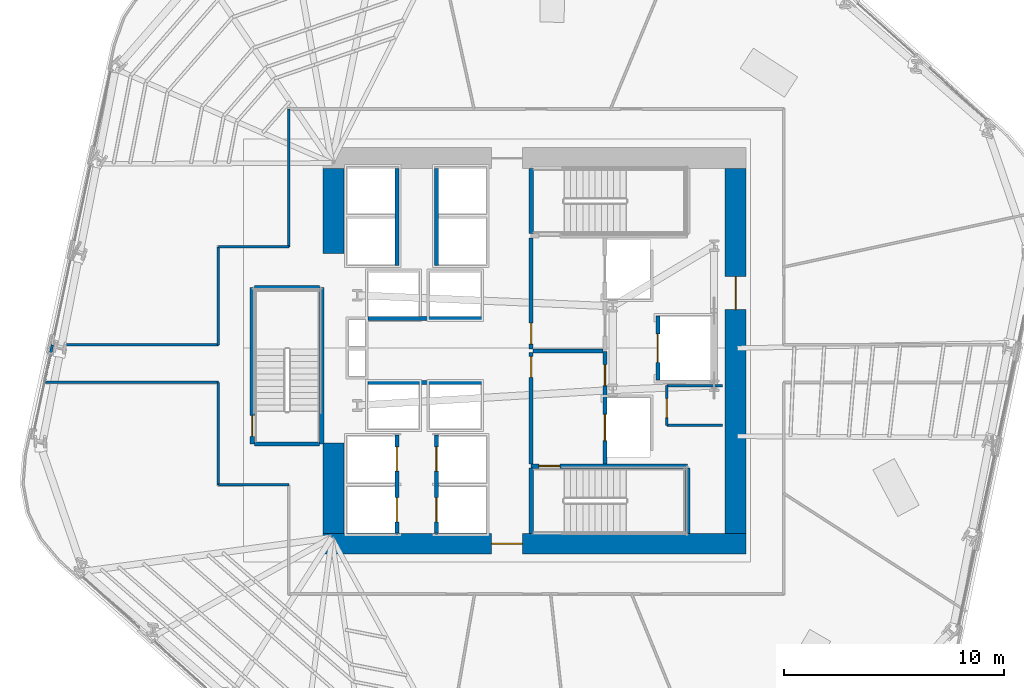
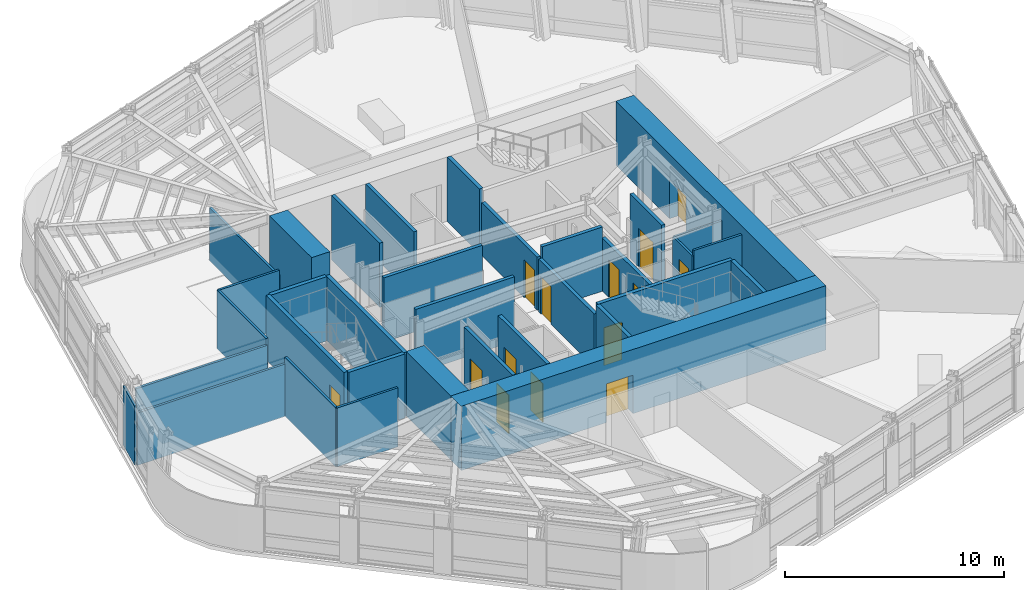
# One storey, part 9 of 16: 34 walls, 14 doors, 14 openings.
"""IFC4 building model written with IfcOpenShell, lengths in metres."""

from ifc_helpers import new_model, si_unit, direction, frame, frame_2d, origin, place, context, subcontext, project, spatial, rectangle, extrude, material, layer, layer_set, type_object, element, fill, save


model = new_model("IFC4")

# Units and contexts
model_context = context("Model", 3, precision=1e-05, world=origin(), true_north=direction((0.0, 1.0)))
body_context = subcontext(model_context, "Body", "Model", "MODEL_VIEW")
ifc_project = project(units=[si_unit("LENGTHUNIT", "METRE"), si_unit("AREAUNIT", "SQUARE_METRE"), si_unit("VOLUMEUNIT", "CUBIC_METRE"), si_unit("PLANEANGLEUNIT", "RADIAN"), si_unit("MASSUNIT", "GRAM", prefix="KILO")], contexts=[model_context])

# Site, building, storey
site_placement = place(None, origin())
site = spatial("IfcSite", under=ifc_project, at=site_placement, CompositionType="ELEMENT")
building_placement = place(site_placement, origin())
building = spatial("IfcBuilding", under=site, at=building_placement, Name="Valkerne Bourse Tower", CompositionType="ELEMENT")
storey_placement = place(building_placement, frame((0.0, 0.0, 101.0)))
storey = spatial("IfcBuildingStorey", under=building, at=storey_placement, Name="L25", CompositionType="ELEMENT", Elevation=101.0)

# Wall, opening, door
ifc_material_1 = material(Name="Concrete C70/85", Category="concrete")
ifc_layer_1 = layer(ifc_material_1, 0.949951171875)
ifc_layer_set_1 = layer_set([ifc_layer_1], Name="Concrete C70/85")
wall_type_1 = type_object("IfcWallType", Name="W-CORE-950", PredefinedType="SHEAR", material=ifc_layer_set_1)
wall_1_placement = place(storey_placement, frame((37.199951171875, 18.125, 0.0), z_axis=(0.0, 0.0, 1.0), x_axis=(1.0, 0.0, 0.0)))
wall_1 = element("IfcWall", 1, at=wall_1_placement, inside=storey, type_object=wall_type_1, Name="L25 Core Shear Wall SOUTH", PredefinedType="SHEAR", context=body_context, shape_type="SweptSolid", body=[
    extrude(rectangle(XDim=19.199951171875, YDim=0.949951171875, at=frame_2d((9.60009765625, 0.0))), origin(), (0.0, 0.0, 1.0), 3.580078125),
])
opening_1_placement = place(wall_1_placement, frame((7.64990234375, 0.0, 0.0)))
opening_1 = element("IfcOpeningElement", 2, at=opening_1_placement, cuts=wall_1, Name="Opening D-PL-1400", PredefinedType="OPENING", context=body_context, shape_type="SweptSolid", body=[
    extrude(rectangle(XDim=1.39990234375, YDim=2.14990234375, at=frame_2d((0.699951171875, 1.074951171875))), frame((0.0, 0.48486328125, 0.0), z_axis=(0.0, -1.0, 0.0), x_axis=(1.0, 0.0, 0.0)), (0.0, 0.0, 1.0), 0.969970703125),
])
ifc_material_2 = material(Name="Galvanised Painted Steel", Category="steel")
door_type_1 = type_object("IfcDoorType", Name="DR-PLT-1400", OperationType="DOUBLE_DOOR_SINGLE_SWING", PredefinedType="DOOR", material=ifc_material_2)
door_1_placement = place(opening_1_placement, origin())
door_1 = element("IfcDoor", 3, at=door_1_placement, inside=storey, type_object=door_type_1, Name="L25 South Passenger Lift Hall Fire Door", OperationType="DOUBLE_DOOR_SINGLE_SWING", OverallHeight=2.14990234375, OverallWidth=1.39990234375, PredefinedType="DOOR", context=body_context, shape_type="SweptSolid", body=[
    extrude(rectangle(XDim=1.39990234375, YDim=2.14990234375, at=frame_2d((0.699951171875, 1.074951171875))), frame((0.0, 0.02490234375, 0.0), z_axis=(0.0, -1.0, 0.0), x_axis=(1.0, 0.0, 0.0)), (0.0, 0.0, 1.0), 0.050048828125),
])
fill(opening_1, door_1)

wall_2_placement = place(storey_placement, frame((55.925048828125, 18.60009765625, 0.0), z_axis=(0.0, 0.0, 1.0), x_axis=(0.0, 1.0, 0.0)))
wall_2 = element("IfcWall", 4, at=wall_2_placement, inside=storey, type_object=wall_type_1, Name="L25 Core Shear Wall EAST", PredefinedType="SHEAR", context=body_context, shape_type="SweptSolid", body=[
    extrude(rectangle(XDim=16.5498046875, YDim=0.949951171875, at=frame_2d((8.27490234375, 0.0))), origin(), (0.0, 0.0, 1.0), 3.580078125),
])
opening_2_placement = place(wall_2_placement, frame((10.14990234375, 0.0, 0.0)))
opening_2 = element("IfcOpeningElement", 5, at=opening_2_placement, cuts=wall_2, Name="Opening D-CR-1500", PredefinedType="OPENING", context=body_context, shape_type="SweptSolid", body=[
    extrude(rectangle(XDim=1.5, YDim=2.14990234375, at=frame_2d((0.75, 1.074951171875))), frame((0.0, 0.48486328125, 0.0), z_axis=(0.0, -1.0, 0.0), x_axis=(1.0, 0.0, 0.0)), (0.0, 0.0, 1.0), 0.969970703125),
])
door_type_2 = type_object("IfcDoorType", Name="DR-CORR-1500", OperationType="DOUBLE_DOOR_SINGLE_SWING", PredefinedType="DOOR", material=ifc_material_2)
door_2_placement = place(opening_2_placement, origin())
door_2 = element("IfcDoor", 6, at=door_2_placement, inside=storey, type_object=door_type_2, Name="L25 East Core Service Lobby Fire Door", OperationType="DOUBLE_DOOR_SINGLE_SWING", OverallHeight=2.14990234375, OverallWidth=1.5, PredefinedType="DOOR", context=body_context, shape_type="SweptSolid", body=[
    extrude(rectangle(XDim=1.5, YDim=2.14990234375, at=frame_2d((0.75, 1.074951171875))), frame((0.0, 0.02490234375, 0.0), z_axis=(0.0, -1.0, 0.0), x_axis=(1.0, 0.0, 0.0)), (0.0, 0.0, 1.0), 0.050048828125),
])
fill(opening_2, door_2)

# Walls
wall_3_placement = place(storey_placement, frame((37.675048828125, 18.60009765625, 0.0), z_axis=(0.0, 0.0, 1.0), x_axis=(0.0, 1.0, 0.0)))
element("IfcWall", 7, at=wall_3_placement, inside=storey, type_object=wall_type_1, Name="L25 Core Shear Wall WEST-S", PredefinedType="SHEAR", context=body_context, shape_type="SweptSolid", body=[
    extrude(rectangle(XDim=4.099853515625, YDim=0.949951171875, at=frame_2d((2.0498046875, 0.0))), origin(), (0.0, 0.0, 1.0), 3.580078125),
])
wall_4_placement = place(storey_placement, frame((37.675048828125, 31.300048828125, 0.0), z_axis=(0.0, 0.0, 1.0), x_axis=(0.0, 1.0, 0.0)))
element("IfcWall", 8, at=wall_4_placement, inside=storey, type_object=wall_type_1, Name="L25 Core Shear Wall WEST-N", PredefinedType="SHEAR", context=body_context, shape_type="SweptSolid", body=[
    extrude(rectangle(XDim=3.849853515625, YDim=0.949951171875, at=frame_2d((1.9248046875, 0.0))), origin(), (0.0, 0.0, 1.0), 3.580078125),
])

# Wall, opening, door
ifc_material_3 = material(Name="Gypsum Board Steel-Stud Partition", Category="steel")
ifc_layer_2 = layer(ifc_material_3, 0.117919921875)
ifc_layer_set_2 = layer_set([ifc_layer_2], Name="Gypsum Board Steel-Stud Partition")
wall_type_2 = type_object("IfcWallType", Name="W-CORR-140", PredefinedType="PARTITIONING", material=ifc_layer_set_2)
wall_5_placement = place(storey_placement, frame((52.800048828125, 23.5, 0.0), z_axis=(0.0, 0.0, 1.0), x_axis=(0.0, 1.0, 0.0)))
wall_5 = element("IfcWall", 9, at=wall_5_placement, inside=storey, type_object=wall_type_2, Name="L25 Core SE North-Bay West Wall", PredefinedType="PARTITIONING", context=body_context, shape_type="SweptSolid", body=[
    extrude(rectangle(XDim=1.800048828125, YDim=0.117919921875, at=frame_2d((0.89990234375, 0.0))), origin(), (0.0, 0.0, 1.0), 2.957763671875),
])
opening_3_placement = place(wall_5_placement, frame((0.35009765625, 0.0, 0.0)))
opening_3 = element("IfcOpeningElement", 10, at=opening_3_placement, cuts=wall_5, Name="Opening D-WC-900", PredefinedType="OPENING", context=body_context, shape_type="SweptSolid", body=[
    extrude(rectangle(XDim=0.860107421875, YDim=2.050048828125, at=frame_2d((0.43017578125, 1.02490234375))), frame((0.0, 0.06884765625, 0.0), z_axis=(0.0, -1.0, 0.0), x_axis=(1.0, 0.0, 0.0)), (0.0, 0.0, 1.0), 0.137939453125),
])
ifc_material_4 = material(Name="Architectural White Oak Timber", Category="wood")
door_type_3 = type_object("IfcDoorType", Name="DR-WC-900", OperationType="NOTDEFINED", PredefinedType="DOOR", material=ifc_material_4)
door_3_placement = place(opening_3_placement, origin())
door_3 = element("IfcDoor", 11, at=door_3_placement, inside=storey, type_object=door_type_3, Name="L25 Telecom Closet Door", OperationType="SINGLE_SWING_LEFT", OverallHeight=2.050048828125, OverallWidth=0.860107421875, PredefinedType="DOOR", context=body_context, shape_type="SweptSolid", body=[
    extrude(rectangle(XDim=0.860107421875, YDim=2.050048828125, at=frame_2d((0.43017578125, 1.02490234375))), frame((0.0, 0.02490234375, 0.0), z_axis=(0.0, -1.0, 0.0), x_axis=(1.0, 0.0, 0.0)), (0.0, 0.0, 1.0), 0.050048828125),
])
fill(opening_3, door_3)

# Walls
wall_6_placement = place(storey_placement, frame((52.800048828125, 23.5, 0.0), z_axis=(0.0, 0.0, 1.0), x_axis=(1.0, 0.0, 0.0)))
element("IfcWall", 12, at=wall_6_placement, inside=storey, type_object=wall_type_2, Name="L25 Core SE North-Bay South Wall", PredefinedType="PARTITIONING", context=body_context, shape_type="SweptSolid", body=[
    extrude(rectangle(XDim=2.52001953125, YDim=0.117919921875, at=frame_2d((1.260009765625, 0.0))), origin(), (0.0, 0.0, 1.0), 3.280029296875),
])
wall_7_placement = place(storey_placement, frame((52.800048828125, 25.300048828125, 0.0), z_axis=(0.0, 0.0, 1.0), x_axis=(1.0, 0.0, 0.0)))
element("IfcWall", 13, at=wall_7_placement, inside=storey, type_object=wall_type_2, Name="L25 Core SE North-Bay North Wall", PredefinedType="PARTITIONING", context=body_context, shape_type="SweptSolid", body=[
    extrude(rectangle(XDim=2.52001953125, YDim=0.117919921875, at=frame_2d((1.260009765625, 0.0))), origin(), (0.0, 0.0, 1.0), 2.957763671875),
])
wall_8_placement = place(storey_placement, frame((35.64990234375, 20.800048828125, 0.0), z_axis=(0.0, 0.0, 1.0), x_axis=(-1.0, 0.0, 0.0)))
element("IfcWall", 14, at=wall_8_placement, inside=storey, type_object=wall_type_2, Name="L25 Corridor Enclosure Wall", PredefinedType="PARTITIONING", context=body_context, shape_type="SweptSolid", body=[
    extrude(rectangle(XDim=3.199951171875, YDim=0.117919921875, at=frame_2d((1.60009765625, 0.0))), origin(), (0.0, 0.0, 1.0), 3.280029296875),
])
wall_9_placement = place(storey_placement, frame((32.449951171875, 20.800048828125, 0.0), z_axis=(0.0, 0.0, 1.0), x_axis=(0.0, 1.0, 0.0)))
element("IfcWall", 15, at=wall_9_placement, inside=storey, type_object=wall_type_2, Name="L25 Corridor Enclosure Wall", PredefinedType="PARTITIONING", context=body_context, shape_type="SweptSolid", body=[
    extrude(rectangle(XDim=4.64990234375, YDim=0.117919921875, at=frame_2d((2.324951171875, 0.0))), origin(), (0.0, 0.0, 1.0), 3.280029296875),
])
wall_10_placement = place(storey_placement, frame((32.449951171875, 25.449951171875, 0.0), z_axis=(0.0, 0.0, 1.0), x_axis=(-1.0, 0.0, 0.0)))
element("IfcWall", 16, at=wall_10_placement, inside=storey, type_object=wall_type_2, Name="L25 Corridor Enclosure Wall", PredefinedType="PARTITIONING", context=body_context, shape_type="SweptSolid", body=[
    extrude(rectangle(XDim=7.850341796875, YDim=0.117919921875, at=frame_2d((3.92529296875, 0.0))), origin(), (0.0, 0.0, 1.0), 2.92236328125),
])
wall_11_placement = place(storey_placement, frame((24.564208984375, 25.493896484375, 0.0), z_axis=(0.0, 0.0, 1.0), x_axis=(0.21207672753, 0.97725301823, 0.0)))
element("IfcWall", 17, at=wall_11_placement, inside=storey, type_object=wall_type_2, Name="L25 Corridor Enclosure Wall", PredefinedType="PARTITIONING", context=body_context, shape_type="SweptSolid", body=[
    extrude(rectangle(XDim=1.694580078125, YDim=0.117919921875, at=frame_2d((0.84716796875, 0.0))), origin(), (0.0, 0.0, 1.0), 3.280029296875),
])
wall_12_placement = place(storey_placement, frame((25.521484375, 27.14990234375, 0.0), z_axis=(0.0, 0.0, 1.0), x_axis=(1.0, 0.0, 0.0)))
element("IfcWall", 18, at=wall_12_placement, inside=storey, type_object=wall_type_2, Name="L25 Corridor Enclosure Wall", PredefinedType="PARTITIONING", context=body_context, shape_type="SweptSolid", body=[
    extrude(rectangle(XDim=6.928466796875, YDim=0.117919921875, at=frame_2d((3.46435546875, 0.0))), origin(), (0.0, 0.0, 1.0), 2.92236328125),
])
wall_13_placement = place(storey_placement, frame((32.449951171875, 27.14990234375, 0.0), z_axis=(0.0, 0.0, 1.0), x_axis=(0.0, 1.0, 0.0)))
element("IfcWall", 19, at=wall_13_placement, inside=storey, type_object=wall_type_2, Name="L25 Corridor Enclosure Wall", PredefinedType="PARTITIONING", context=body_context, shape_type="SweptSolid", body=[
    extrude(rectangle(XDim=4.4501953125, YDim=0.117919921875, at=frame_2d((2.22509765625, 0.0))), origin(), (0.0, 0.0, 1.0), 3.280029296875),
])
wall_14_placement = place(storey_placement, frame((32.449951171875, 31.60009765625, 0.0), z_axis=(0.0, 0.0, 1.0), x_axis=(1.0, 0.0, 0.0)))
element("IfcWall", 20, at=wall_14_placement, inside=storey, type_object=wall_type_2, Name="L25 Corridor Enclosure Wall", PredefinedType="PARTITIONING", context=body_context, shape_type="SweptSolid", body=[
    extrude(rectangle(XDim=3.199951171875, YDim=0.117919921875, at=frame_2d((1.60009765625, 0.0))), origin(), (0.0, 0.0, 1.0), 3.280029296875),
])
wall_15_placement = place(storey_placement, frame((35.64990234375, 31.60009765625, 0.0), z_axis=(0.0, 0.0, 1.0), x_axis=(0.0, 1.0, 0.0)))
element("IfcWall", 21, at=wall_15_placement, inside=storey, type_object=wall_type_2, Name="L25 Corridor Enclosure Wall", PredefinedType="PARTITIONING", context=body_context, shape_type="SweptSolid", body=[
    extrude(rectangle(XDim=6.25, YDim=0.117919921875, at=frame_2d((3.125, 0.0))), origin(), (0.0, 0.0, 1.0), 2.962890625),
])
ifc_material_5 = material(Name="Gypsum Fire-Rated Shaftwall", Category="gypsum")
ifc_layer_3 = layer(ifc_material_5, 0.179931640625)
ifc_layer_set_3 = layer_set([ifc_layer_3], Name="Gypsum Fire-Rated Shaftwall")
wall_type_3 = type_object("IfcWallType", Name="W-FSAE-180", PredefinedType="PARTITIONING", material=ifc_layer_set_3)
wall_16_placement = place(storey_placement, frame((46.739990234375, 26.8798828125, 0.0), z_axis=(0.0, 0.0, 1.0), x_axis=(1.0, 0.0, 0.0)))
element("IfcWall", 22, at=wall_16_placement, inside=storey, type_object=wall_type_3, Name="L25 FSAE-1/2 Lobby Dividing Fire Wall", PredefinedType="PARTITIONING", context=body_context, shape_type="SweptSolid", body=[
    extrude(rectangle(XDim=3.169921875, YDim=0.179931640625, at=frame_2d((1.5849609375, 0.0))), origin(), (0.0, 0.0, 1.0), 3.580078125),
])

# Wall, opening, door
wall_17_placement = place(storey_placement, frame((46.64990234375, 21.75, 0.0), z_axis=(0.0, 0.0, 1.0), x_axis=(0.0, 1.0, 0.0)))
wall_17 = element("IfcWall", 23, at=wall_17_placement, inside=storey, type_object=wall_type_3, Name="L25 FSAE-1 Lobby West Fire Wall", PredefinedType="PARTITIONING", context=body_context, shape_type="SweptSolid", body=[
    extrude(rectangle(XDim=5.050048828125, YDim=0.179931640625, at=frame_2d((2.52490234375, 0.0))), origin(), (0.0, 0.0, 1.0), 2.957763671875),
])
opening_4_placement = place(wall_17_placement, frame((3.919921875, 0.0, 0.0)))
opening_4 = element("IfcOpeningElement", 24, at=opening_4_placement, cuts=wall_17, Name="Opening D-FS-950", PredefinedType="OPENING", context=body_context, shape_type="SweptSolid", body=[
    extrude(rectangle(XDim=0.949951171875, YDim=2.10009765625, at=frame_2d((0.47509765625, 1.050048828125))), frame((0.0, 0.099853515625, 0.0), z_axis=(0.0, -1.0, 0.0), x_axis=(1.0, 0.0, 0.0)), (0.0, 0.0, 1.0), 0.199951171875),
])
door_type_4 = type_object("IfcDoorType", Name="DR-FSAE-950", OperationType="NOTDEFINED", PredefinedType="DOOR", material=ifc_material_2)
door_4_placement = place(opening_4_placement, origin())
door_4 = element("IfcDoor", 25, at=door_4_placement, inside=storey, type_object=door_type_4, Name="L25 FSAE-1 Hall Link Fire Door", OperationType="SINGLE_SWING_RIGHT", OverallHeight=2.10009765625, OverallWidth=0.949951171875, PredefinedType="DOOR", context=body_context, shape_type="SweptSolid", body=[
    extrude(rectangle(XDim=0.949951171875, YDim=2.10009765625, at=frame_2d((0.47509765625, 1.050048828125))), frame((0.0, 0.02490234375, 0.0), z_axis=(0.0, -1.0, 0.0), x_axis=(1.0, 0.0, 0.0)), (0.0, 0.0, 1.0), 0.050048828125),
])
fill(opening_4, door_4)

wall_18_placement = place(storey_placement, frame((46.64990234375, 26.9599609375, 0.0), z_axis=(0.0, 0.0, 1.0), x_axis=(0.0, 1.0, 0.0)))
wall_18 = element("IfcWall", 26, at=wall_18_placement, inside=storey, type_object=wall_type_3, Name="L25 FSAE-2 Lobby West Fire Wall", PredefinedType="PARTITIONING", context=body_context, shape_type="SweptSolid", body=[
    extrude(rectangle(XDim=5.0400390625, YDim=0.179931640625, at=frame_2d((2.52001953125, 0.0))), origin(), (0.0, 0.0, 1.0), 2.957763671875),
])
opening_5_placement = place(wall_18_placement, frame((0.219970703125, 0.0, 0.0)))
opening_5 = element("IfcOpeningElement", 27, at=opening_5_placement, cuts=wall_18, Name="Opening D-FS-950", PredefinedType="OPENING", context=body_context, shape_type="SweptSolid", body=[
    extrude(rectangle(XDim=0.949951171875, YDim=2.10009765625, at=frame_2d((0.47509765625, 1.050048828125))), frame((0.0, 0.099853515625, 0.0), z_axis=(0.0, -1.0, 0.0), x_axis=(1.0, 0.0, 0.0)), (0.0, 0.0, 1.0), 0.199951171875),
])
door_5_placement = place(opening_5_placement, origin())
door_5 = element("IfcDoor", 28, at=door_5_placement, inside=storey, type_object=door_type_4, Name="L25 FSAE-2 Hall Link Fire Door", OperationType="SINGLE_SWING_RIGHT", OverallHeight=2.10009765625, OverallWidth=0.949951171875, PredefinedType="DOOR", context=body_context, shape_type="SweptSolid", body=[
    extrude(rectangle(XDim=0.949951171875, YDim=2.10009765625, at=frame_2d((0.47509765625, 1.050048828125))), frame((0.0, 0.02490234375, 0.0), z_axis=(0.0, -1.0, 0.0), x_axis=(1.0, 0.0, 0.0)), (0.0, 0.0, 1.0), 0.050048828125),
])
fill(opening_5, door_5)

# Wall, openings, doors
wall_19_placement = place(storey_placement, frame((50.0, 21.75, 0.0), z_axis=(0.0, 0.0, 1.0), x_axis=(0.0, 1.0, 0.0)))
wall_19 = element("IfcWall", 29, at=wall_19_placement, inside=storey, type_object=wall_type_3, Name="L25 FSAE-1 Lobby & Shaft Front Wall", PredefinedType="PARTITIONING", context=body_context, shape_type="SweptSolid", body=[
    extrude(rectangle(XDim=5.090087890625, YDim=0.179931640625, at=frame_2d((2.544921875, 0.0))), origin(), (0.0, 0.0, 1.0), 2.957763671875),
])
opening_6_placement = place(wall_19_placement, frame((1.050048828125, 0.0, 0.0)))
opening_6 = element("IfcOpeningElement", 30, at=opening_6_placement, cuts=wall_19, Name="Opening LD-1200", PredefinedType="OPENING", context=body_context, shape_type="SweptSolid", body=[
    extrude(rectangle(XDim=1.199951171875, YDim=2.14990234375, at=frame_2d((0.60009765625, 1.074951171875))), frame((0.0, 0.099853515625, 0.0), z_axis=(0.0, -1.0, 0.0), x_axis=(1.0, 0.0, 0.0)), (0.0, 0.0, 1.0), 0.199951171875),
])
opening_7_placement = place(wall_19_placement, frame((3.550048828125, 0.0, 0.0)))
opening_7 = element("IfcOpeningElement", 31, at=opening_7_placement, cuts=wall_19, Name="Opening D-FS-950", PredefinedType="OPENING", context=body_context, shape_type="SweptSolid", body=[
    extrude(rectangle(XDim=0.949951171875, YDim=2.10009765625, at=frame_2d((0.47509765625, 1.050048828125))), frame((0.0, 0.099853515625, 0.0), z_axis=(0.0, -1.0, 0.0), x_axis=(1.0, 0.0, 0.0)), (0.0, 0.0, 1.0), 0.199951171875),
])
door_6_placement = place(opening_7_placement, origin())
door_6 = element("IfcDoor", 32, at=door_6_placement, inside=storey, type_object=door_type_4, Name="L25 FSAE-1 Lobby Corridor Fire Door", OperationType="SINGLE_SWING_RIGHT", OverallHeight=2.10009765625, OverallWidth=0.949951171875, PredefinedType="DOOR", context=body_context, shape_type="SweptSolid", body=[
    extrude(rectangle(XDim=0.949951171875, YDim=2.10009765625, at=frame_2d((0.47509765625, 1.050048828125))), frame((0.0, 0.02490234375, 0.0), z_axis=(0.0, -1.0, 0.0), x_axis=(1.0, 0.0, 0.0)), (0.0, 0.0, 1.0), 0.050048828125),
])
fill(opening_7, door_6)
ifc_material_6 = material(Name="Stainless Steel AISI 316", Category="steel")
door_type_5 = type_object("IfcDoorType", Name="DR-LIFT-1200", OperationType="DOUBLE_DOOR_SLIDING", PredefinedType="DOOR", material=ifc_material_6)
door_7_placement = place(opening_6_placement, origin())
door_7 = element("IfcDoor", 33, at=door_7_placement, inside=storey, type_object=door_type_5, Name="L25 FSAE-1 Firefighting Lift Landing Door", OperationType="DOUBLE_DOOR_SLIDING", OverallHeight=2.14990234375, OverallWidth=1.199951171875, PredefinedType="DOOR", context=body_context, shape_type="SweptSolid", body=[
    extrude(rectangle(XDim=1.199951171875, YDim=2.14990234375, at=frame_2d((0.60009765625, 1.074951171875))), frame((0.0, 0.02490234375, 0.0), z_axis=(0.0, -1.0, 0.0), x_axis=(1.0, 0.0, 0.0)), (0.0, 0.0, 1.0), 0.050048828125),
])
fill(opening_6, door_7)

# Wall, opening, door
ifc_material_7 = material(Name="CMU Blockwork Masonry 200mm", Category="masonry")
ifc_layer_4 = layer(ifc_material_7, 0.179931640625)
ifc_layer_set_4 = layer_set([ifc_layer_4], Name="CMU Blockwork Masonry 200mm")
wall_type_4 = type_object("IfcWallType", Name="W-LFT-180", PredefinedType="SOLIDWALL", material=ifc_layer_set_4)
wall_20_placement = place(storey_placement, frame((52.39990234375, 25.550048828125, 0.0), z_axis=(0.0, 0.0, 1.0), x_axis=(0.0, 1.0, 0.0)))
wall_20 = element("IfcWall", 34, at=wall_20_placement, inside=storey, type_object=wall_type_4, Name="L25 Service Lift SV-1 Front Wall", PredefinedType="SOLIDWALL", context=body_context, shape_type="SweptSolid", body=[
    extrude(rectangle(XDim=2.89990234375, YDim=0.179931640625, at=frame_2d((1.449951171875, 0.0))), origin(), (0.0, 0.0, 1.0), 3.580078125),
])
opening_8_placement = place(wall_20_placement, frame((0.800048828125, 0.0, 0.0)))
opening_8 = element("IfcOpeningElement", 35, at=opening_8_placement, cuts=wall_20, Name="Opening LD-1300", PredefinedType="OPENING", context=body_context, shape_type="SweptSolid", body=[
    extrude(rectangle(XDim=1.300048828125, YDim=2.14990234375, at=frame_2d((0.64990234375, 1.074951171875))), frame((0.0, 0.099853515625, 0.0), z_axis=(0.0, -1.0, 0.0), x_axis=(1.0, 0.0, 0.0)), (0.0, 0.0, 1.0), 0.199951171875),
])
door_type_6 = type_object("IfcDoorType", Name="DR-LIFT-1300", OperationType="DOUBLE_DOOR_SLIDING", PredefinedType="DOOR", material=ifc_material_6)
door_8_placement = place(opening_8_placement, origin())
door_8 = element("IfcDoor", 36, at=door_8_placement, inside=storey, type_object=door_type_6, Name="L25 Service Lift SV-1 Landing Door", OperationType="DOUBLE_DOOR_SLIDING", OverallHeight=2.14990234375, OverallWidth=1.300048828125, PredefinedType="DOOR", context=body_context, shape_type="SweptSolid", body=[
    extrude(rectangle(XDim=1.300048828125, YDim=2.14990234375, at=frame_2d((0.64990234375, 1.074951171875))), frame((0.0, 0.02490234375, 0.0), z_axis=(0.0, -1.0, 0.0), x_axis=(1.0, 0.0, 0.0)), (0.0, 0.0, 1.0), 0.050048828125),
])
fill(opening_8, door_8)

# Wall, openings, doors
wall_21_placement = place(storey_placement, frame((40.550048828125, 18.6201171875, 0.0), z_axis=(0.0, 0.0, 1.0), x_axis=(0.0, 1.0, 0.0)))
wall_21 = element("IfcWall", 37, at=wall_21_placement, inside=storey, type_object=wall_type_4, Name="L25 Low-Zone West Cars Front Wall", PredefinedType="SOLIDWALL", context=body_context, shape_type="SweptSolid", body=[
    extrude(rectangle(XDim=4.429931640625, YDim=0.179931640625, at=frame_2d((2.21484375, 0.0))), origin(), (0.0, 0.0, 1.0), 3.580078125),
])
opening_9_placement = place(wall_21_placement, frame((0.5, 0.0, 0.0)))
opening_9 = element("IfcOpeningElement", 38, at=opening_9_placement, cuts=wall_21, Name="Opening LD-1100", PredefinedType="OPENING", context=body_context, shape_type="SweptSolid", body=[
    extrude(rectangle(XDim=1.10009765625, YDim=2.14990234375, at=frame_2d((0.550048828125, 1.074951171875))), frame((0.0, 0.099853515625, 0.0), z_axis=(0.0, -1.0, 0.0), x_axis=(1.0, 0.0, 0.0)), (0.0, 0.0, 1.0), 0.199951171875),
])
opening_10_placement = place(wall_21_placement, frame((2.800048828125, 0.0, 0.0)))
opening_10 = element("IfcOpeningElement", 39, at=opening_10_placement, cuts=wall_21, Name="Opening LD-1100", PredefinedType="OPENING", context=body_context, shape_type="SweptSolid", body=[
    extrude(rectangle(XDim=1.10009765625, YDim=2.14990234375, at=frame_2d((0.550048828125, 1.074951171875))), frame((0.0, 0.099853515625, 0.0), z_axis=(0.0, -1.0, 0.0), x_axis=(1.0, 0.0, 0.0)), (0.0, 0.0, 1.0), 0.199951171875),
])
door_type_7 = type_object("IfcDoorType", Name="DR-LIFT-1100", OperationType="DOUBLE_DOOR_SLIDING", PredefinedType="DOOR", material=ifc_material_6)
door_9_placement = place(opening_9_placement, origin())
door_9 = element("IfcDoor", 40, at=door_9_placement, inside=storey, type_object=door_type_7, Name="L25 Passenger Lift PL-L1 Sliding Landing Door", OperationType="DOUBLE_DOOR_SLIDING", OverallHeight=2.14990234375, OverallWidth=1.10009765625, PredefinedType="DOOR", context=body_context, shape_type="SweptSolid", body=[
    extrude(rectangle(XDim=1.10009765625, YDim=2.14990234375, at=frame_2d((0.550048828125, 1.074951171875))), frame((0.0, 0.02490234375, 0.0), z_axis=(0.0, -1.0, 0.0), x_axis=(1.0, 0.0, 0.0)), (0.0, 0.0, 1.0), 0.050048828125),
])
fill(opening_9, door_9)
door_10_placement = place(opening_10_placement, origin())
door_10 = element("IfcDoor", 41, at=door_10_placement, inside=storey, type_object=door_type_7, Name="L25 Passenger Lift PL-L2 Sliding Landing Door", OperationType="DOUBLE_DOOR_SLIDING", OverallHeight=2.14990234375, OverallWidth=1.10009765625, PredefinedType="DOOR", context=body_context, shape_type="SweptSolid", body=[
    extrude(rectangle(XDim=1.10009765625, YDim=2.14990234375, at=frame_2d((0.550048828125, 1.074951171875))), frame((0.0, 0.02490234375, 0.0), z_axis=(0.0, -1.0, 0.0), x_axis=(1.0, 0.0, 0.0)), (0.0, 0.0, 1.0), 0.050048828125),
])
fill(opening_10, door_10)

wall_22_placement = place(storey_placement, frame((42.35009765625, 18.6201171875, 0.0), z_axis=(0.0, 0.0, 1.0), x_axis=(0.0, 1.0, 0.0)))
wall_22 = element("IfcWall", 42, at=wall_22_placement, inside=storey, type_object=wall_type_4, Name="L25 Low-Zone East Cars Front Wall", PredefinedType="SOLIDWALL", context=body_context, shape_type="SweptSolid", body=[
    extrude(rectangle(XDim=4.429931640625, YDim=0.179931640625, at=frame_2d((2.21484375, 0.0))), origin(), (0.0, 0.0, 1.0), 3.580078125),
])
opening_11_placement = place(wall_22_placement, frame((0.5, 0.0, 0.0)))
opening_11 = element("IfcOpeningElement", 43, at=opening_11_placement, cuts=wall_22, Name="Opening LD-1100", PredefinedType="OPENING", context=body_context, shape_type="SweptSolid", body=[
    extrude(rectangle(XDim=1.10009765625, YDim=2.14990234375, at=frame_2d((0.550048828125, 1.074951171875))), frame((0.0, 0.099853515625, 0.0), z_axis=(0.0, -1.0, 0.0), x_axis=(1.0, 0.0, 0.0)), (0.0, 0.0, 1.0), 0.199951171875),
])
opening_12_placement = place(wall_22_placement, frame((2.800048828125, 0.0, 0.0)))
opening_12 = element("IfcOpeningElement", 44, at=opening_12_placement, cuts=wall_22, Name="Opening LD-1100", PredefinedType="OPENING", context=body_context, shape_type="SweptSolid", body=[
    extrude(rectangle(XDim=1.10009765625, YDim=2.14990234375, at=frame_2d((0.550048828125, 1.074951171875))), frame((0.0, 0.099853515625, 0.0), z_axis=(0.0, -1.0, 0.0), x_axis=(1.0, 0.0, 0.0)), (0.0, 0.0, 1.0), 0.199951171875),
])
door_11_placement = place(opening_11_placement, origin())
door_11 = element("IfcDoor", 45, at=door_11_placement, inside=storey, type_object=door_type_7, Name="L25 Passenger Lift PL-L3 Sliding Landing Door", OperationType="DOUBLE_DOOR_SLIDING", OverallHeight=2.14990234375, OverallWidth=1.10009765625, PredefinedType="DOOR", context=body_context, shape_type="SweptSolid", body=[
    extrude(rectangle(XDim=1.10009765625, YDim=2.14990234375, at=frame_2d((0.550048828125, 1.074951171875))), frame((0.0, 0.02490234375, 0.0), z_axis=(0.0, -1.0, 0.0), x_axis=(1.0, 0.0, 0.0)), (0.0, 0.0, 1.0), 0.050048828125),
])
fill(opening_11, door_11)
door_12_placement = place(opening_12_placement, origin())
door_12 = element("IfcDoor", 46, at=door_12_placement, inside=storey, type_object=door_type_7, Name="L25 Passenger Lift PL-L4 Sliding Landing Door", OperationType="DOUBLE_DOOR_SLIDING", OverallHeight=2.14990234375, OverallWidth=1.10009765625, PredefinedType="DOOR", context=body_context, shape_type="SweptSolid", body=[
    extrude(rectangle(XDim=1.10009765625, YDim=2.14990234375, at=frame_2d((0.550048828125, 1.074951171875))), frame((0.0, 0.02490234375, 0.0), z_axis=(0.0, -1.0, 0.0), x_axis=(1.0, 0.0, 0.0)), (0.0, 0.0, 1.0), 0.050048828125),
])
fill(opening_12, door_12)

# Walls
for number, where, z_axis, x_axis, name in (
    (47, (40.550048828125, 30.75, 0.0), (0.0, 0.0, 1.0), (0.0, 1.0, 0.0), "L25 Mid-Zone West Cars Front Wall"),
    (48, (42.35009765625, 30.75, 0.0), (0.0, 0.0, 1.0), (0.0, 1.0, 0.0), "L25 Mid-Zone East Cars Front Wall"),
):
    element("IfcWall", number, at=place(storey_placement, frame(where, z_axis=z_axis, x_axis=x_axis)), inside=storey, type_object=wall_type_4, Name=name, PredefinedType="SOLIDWALL", context=body_context, shape_type="SweptSolid", body=[
        extrude(rectangle(XDim=4.39990234375, YDim=0.179931640625, at=frame_2d((2.199951171875, 0.0))), origin(), (0.0, 0.0, 1.0), 3.580078125),
    ])
for number, where, z_axis, x_axis, name in (
    (49, (39.25, 25.449951171875, 0.0), (0.0, 0.0, 1.0), (1.0, 0.0, 0.0), "L25 High-Zone South Cars Front Wall"),
    (50, (39.25, 28.35009765625, 0.0), (0.0, 0.0, 1.0), (1.0, 0.0, 0.0), "L25 High-Zone North Cars Front Wall"),
):
    element("IfcWall", number, at=place(storey_placement, frame(where, z_axis=z_axis, x_axis=x_axis)), inside=storey, type_object=wall_type_4, Name=name, PredefinedType="SOLIDWALL", context=body_context, shape_type="SweptSolid", body=[
        extrude(rectangle(XDim=5.199951171875, YDim=0.179931640625, at=frame_2d((2.60009765625, 0.0))), origin(), (0.0, 0.0, 1.0), 3.580078125),
    ])

# Wall, opening, door
ifc_material_8 = material(Name="Concrete C40/50", Category="concrete")
ifc_layer_5 = layer(ifc_material_8, 0.199951171875)
ifc_layer_set_5 = layer_set([ifc_layer_5], Name="Concrete C40/50")
wall_type_5 = type_object("IfcWallType", Name="W-SHF-200", PredefinedType="SHEAR", material=ifc_layer_set_5)
wall_23_placement = place(storey_placement, frame((46.64990234375, 21.64990234375, 0.0), z_axis=(0.0, 0.0, 1.0), x_axis=(1.0, 0.0, 0.0)))
wall_23 = element("IfcWall", 51, at=wall_23_placement, inside=storey, type_object=wall_type_5, Name="L25 Exit Stair ST-1 Structural Shaft Wall North", PredefinedType="SHEAR", context=body_context, shape_type="SweptSolid", body=[
    extrude(rectangle(XDim=7.10009765625, YDim=0.199951171875, at=frame_2d((3.550048828125, 0.0))), origin(), (0.0, 0.0, 1.0), 3.580078125),
])
opening_13_placement = place(wall_23_placement, frame((0.35009765625, 0.0, 0.0)))
opening_13 = element("IfcOpeningElement", 52, at=opening_13_placement, cuts=wall_23, Name="Opening D-ST-950", PredefinedType="OPENING", context=body_context, shape_type="SweptSolid", body=[
    extrude(rectangle(XDim=0.949951171875, YDim=2.10009765625, at=frame_2d((0.47509765625, 1.050048828125))), frame((0.0, 0.10986328125, 0.0), z_axis=(0.0, -1.0, 0.0), x_axis=(1.0, 0.0, 0.0)), (0.0, 0.0, 1.0), 0.219970703125),
])
door_type_8 = type_object("IfcDoorType", Name="DR-STAIR-950", OperationType="NOTDEFINED", PredefinedType="DOOR", material=ifc_material_2)
door_13_placement = place(opening_13_placement, origin())
door_13 = element("IfcDoor", 53, at=door_13_placement, inside=storey, type_object=door_type_8, Name="L25 Exit Stair ST-1 Door", OperationType="SINGLE_SWING_RIGHT", OverallHeight=2.10009765625, OverallWidth=0.949951171875, PredefinedType="DOOR", context=body_context, shape_type="SweptSolid", body=[
    extrude(rectangle(XDim=0.949951171875, YDim=2.10009765625, at=frame_2d((0.47509765625, 1.050048828125))), frame((0.0, 0.02490234375, 0.0), z_axis=(0.0, -1.0, 0.0), x_axis=(1.0, 0.0, 0.0)), (0.0, 0.0, 1.0), 0.050048828125),
])
fill(opening_13, door_13)

# Walls
for number, where, z_axis, x_axis, name in (
    (54, (46.64990234375, 18.60009765625, 0.0), (0.0, 0.0, 1.0), (0.0, 1.0, 0.0), "L25 Exit Stair ST-1 Structural Shaft Wall West"),
    (55, (53.75, 18.60009765625, 0.0), (0.0, 0.0, 1.0), (0.0, 1.0, 0.0), "L25 Exit Stair ST-1 Structural Shaft Wall East"),
    (56, (46.64990234375, 32.199951171875, 0.0), (0.0, 0.0, 1.0), (0.0, 1.0, 0.0), "L25 Exit Stair ST-2 Structural Shaft Wall West"),
):
    element("IfcWall", number, at=place(storey_placement, frame(where, z_axis=z_axis, x_axis=x_axis)), inside=storey, type_object=wall_type_5, Name=name, PredefinedType="SHEAR", context=body_context, shape_type="SweptSolid", body=[
        extrude(rectangle(XDim=2.949951171875, YDim=0.199951171875, at=frame_2d((1.47509765625, 0.0))), origin(), (0.0, 0.0, 1.0), 3.580078125),
    ])

# Wall, opening, door
wall_24_placement = place(storey_placement, frame((34.0, 22.64990234375, 0.0), z_axis=(0.0, 0.0, 1.0), x_axis=(0.0, 1.0, 0.0)))
wall_24 = element("IfcWall", 57, at=wall_24_placement, inside=storey, type_object=wall_type_5, Name="L25 Exit Stair ST-3 Structural Shaft Wall West", PredefinedType="SHEAR", context=body_context, shape_type="SweptSolid", body=[
    extrude(rectangle(XDim=7.10009765625, YDim=0.199951171875, at=frame_2d((3.550048828125, 0.0))), origin(), (0.0, 0.0, 1.0), 3.580078125),
])
opening_14_placement = place(wall_24_placement, frame((0.35009765625, 0.0, 0.0)))
opening_14 = element("IfcOpeningElement", 58, at=opening_14_placement, cuts=wall_24, Name="Opening D-ST-950", PredefinedType="OPENING", context=body_context, shape_type="SweptSolid", body=[
    extrude(rectangle(XDim=0.949951171875, YDim=2.10009765625, at=frame_2d((0.47509765625, 1.050048828125))), frame((0.0, 0.10986328125, 0.0), z_axis=(0.0, -1.0, 0.0), x_axis=(1.0, 0.0, 0.0)), (0.0, 0.0, 1.0), 0.219970703125),
])
door_14_placement = place(opening_14_placement, origin())
door_14 = element("IfcDoor", 59, at=door_14_placement, inside=storey, type_object=door_type_8, Name="L25 Exit Stair ST-3 Door", OperationType="SINGLE_SWING_RIGHT", OverallHeight=2.10009765625, OverallWidth=0.949951171875, PredefinedType="DOOR", context=body_context, shape_type="SweptSolid", body=[
    extrude(rectangle(XDim=0.949951171875, YDim=2.10009765625, at=frame_2d((0.47509765625, 1.050048828125))), frame((0.0, 0.02490234375, 0.0), z_axis=(0.0, -1.0, 0.0), x_axis=(1.0, 0.0, 0.0)), (0.0, 0.0, 1.0), 0.050048828125),
])
fill(opening_14, door_14)

# Walls
for number, where, z_axis, x_axis, name in (
    (60, (34.10009765625, 22.64990234375, 0.0), (0.0, 0.0, 1.0), (1.0, 0.0, 0.0), "L25 Exit Stair ST-3 Structural Shaft Wall South"),
    (61, (34.10009765625, 29.75, 0.0), (0.0, 0.0, 1.0), (1.0, 0.0, 0.0), "L25 Exit Stair ST-3 Structural Shaft Wall North"),
):
    element("IfcWall", number, at=place(storey_placement, frame(where, z_axis=z_axis, x_axis=x_axis)), inside=storey, type_object=wall_type_5, Name=name, PredefinedType="SHEAR", context=body_context, shape_type="SweptSolid", body=[
        extrude(rectangle(XDim=2.949951171875, YDim=0.199951171875, at=frame_2d((1.47509765625, 0.0))), origin(), (0.0, 0.0, 1.0), 3.580078125),
    ])
wall_25_placement = place(storey_placement, frame((37.14990234375, 22.64990234375, 0.0), z_axis=(0.0, 0.0, 1.0), x_axis=(0.0, 1.0, 0.0)))
element("IfcWall", 62, at=wall_25_placement, inside=storey, type_object=wall_type_5, Name="L25 Exit Stair ST-3 Structural Shaft Wall East", PredefinedType="SHEAR", context=body_context, shape_type="SweptSolid", body=[
    extrude(rectangle(XDim=7.10009765625, YDim=0.199951171875, at=frame_2d((3.550048828125, 0.0))), origin(), (0.0, 0.0, 1.0), 3.580078125),
])

save(model, "model.ifc")
